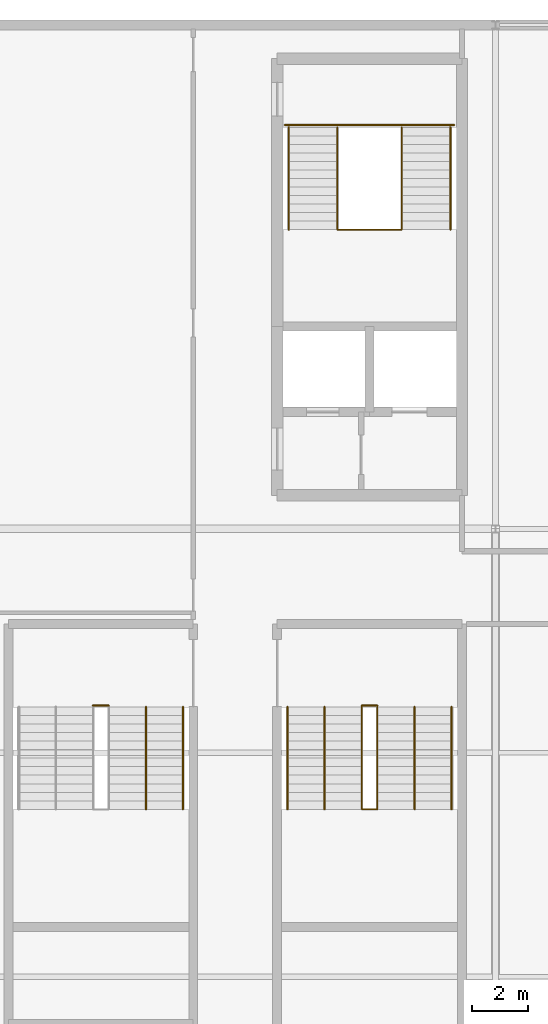
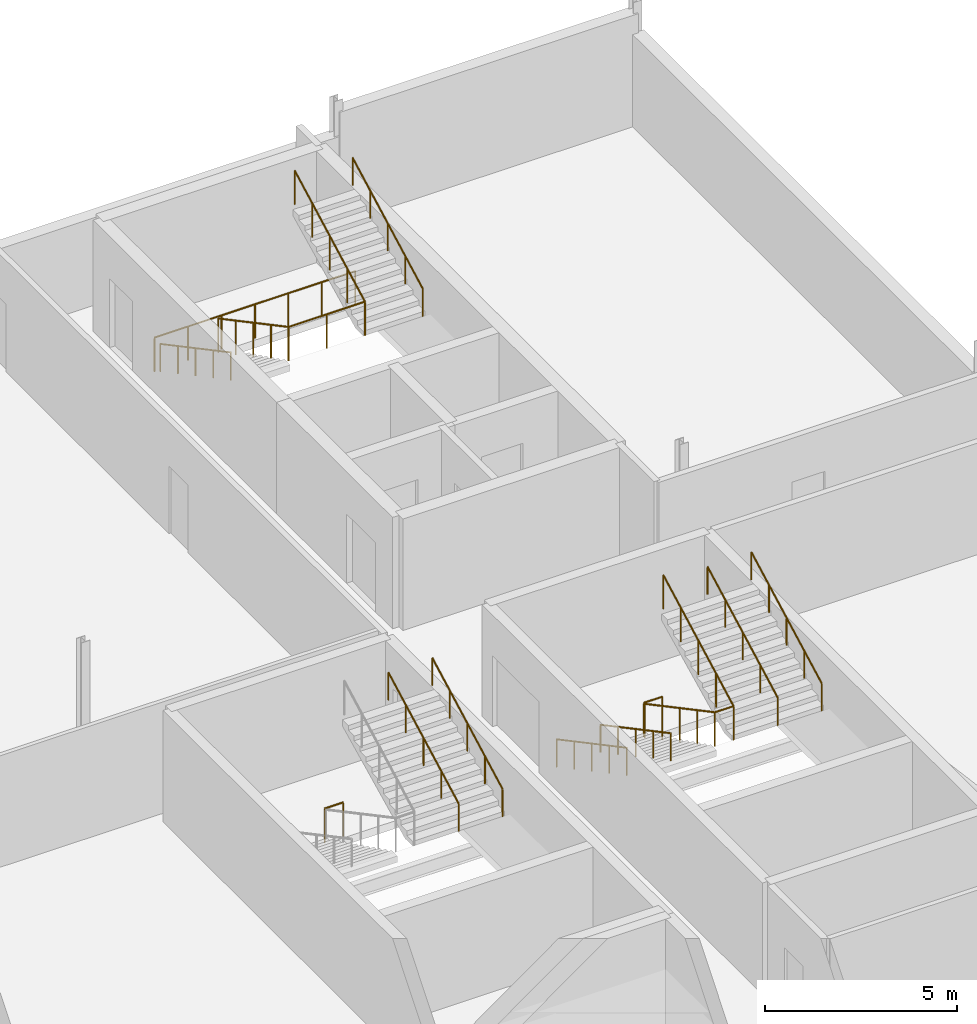
# One storey, part 29 of 30: 13 railings.
"""IFC4 building model written with IfcOpenShell, lengths in metres."""

import ifcopenshell
import ifcopenshell.guid

model = None  # the IFC model being written
_history = None  # IfcOwnerHistory: only IFC2X3 demands one
_inside = {}  # id of a spatial element -> (the spatial element, [elements in it])
_under = {}  # id of a project, library or spatial element -> (it, [spatial elements below it])
_declared = {}  # id of a project -> (the project, [libraries it declares])
_typed = {}  # id of a type object -> (the type object, [elements of that type])
_made_of = {}  # id of a material, layer set ... -> (it, [elements and type objects made of it])


def new_model(schema):
    """Start an empty IFC model of exactly this schema.

    Asked for "IFC4X3", IfcOpenShell would pick the latest addendum, in which some entities
    have other attributes; the version numbers below select the first issue.
    IFC2X3 requires an IfcOwnerHistory on every rooted entity: one is made here for all.
    """
    global model, _history
    if schema == "IFC4X3":
        model = ifcopenshell.file(schema_version=(4, 3, 0, 0))
    else:
        model = ifcopenshell.file(schema=schema)
    _inside.clear()
    _under.clear()
    _declared.clear()
    _typed.clear()
    _made_of.clear()
    _history = None
    if model.schema == "IFC2X3":
        org = make("IfcOrganization", Name="unknown")
        user = make(
            "IfcPersonAndOrganization",
            ThePerson=make("IfcPerson", FamilyName="unknown"),
            TheOrganization=org,
        )
        app = make(
            "IfcApplication",
            ApplicationDeveloper=org,
            Version="unknown",
            ApplicationFullName="unknown",
            ApplicationIdentifier="unknown",
        )
        _history = make(
            "IfcOwnerHistory",
            OwningUser=user,
            OwningApplication=app,
            ChangeAction="ADDED",
            CreationDate=0,
        )
    return model


def make(cls, **values):
    """One entity of the class cls with the attributes given. An attribute that is None is left unset."""
    return model.create_entity(
        cls, **{name: value for name, value in values.items() if value is not None}
    )


def rooted(cls, **values):
    """An entity with a GlobalId (a new one), such as an element, a storey or a relation."""
    return make(cls, GlobalId=ifcopenshell.guid.new(), OwnerHistory=_history, **values)


def si_unit(unit_type, name, prefix=None):
    """IfcSIUnit, for example si_unit("LENGTHUNIT", "METRE", prefix="MILLI")."""
    return make("IfcSIUnit", UnitType=unit_type, Prefix=prefix, Name=name)


def assignment(units):
    """IfcUnitAssignment: the units of a project."""
    return None if units is None else make("IfcUnitAssignment", Units=units)


def point(xyz):
    """IfcCartesianPoint."""
    return None if xyz is None else make("IfcCartesianPoint", Coordinates=xyz)


def direction(xyz):
    """IfcDirection."""
    return None if xyz is None else make("IfcDirection", DirectionRatios=xyz)


def frame(location, z_axis=None, x_axis=None):
    """IfcAxis2Placement3D, a coordinate frame: its origin and axes. An axis left out is left unset."""
    return make(
        "IfcAxis2Placement3D",
        Location=point(location),
        Axis=direction(z_axis),
        RefDirection=direction(x_axis),
    )


def frame_2d(location, x_axis=None):
    """IfcAxis2Placement2D, a coordinate frame in the plane: its origin and x axis."""
    return make(
        "IfcAxis2Placement2D", Location=point(location), RefDirection=direction(x_axis)
    )


def origin():
    """The frame at (0, 0, 0) with its axes left unset."""
    return frame((0.0, 0.0, 0.0))


def origin_2d():
    """The frame at (0, 0) in the plane with its x axis left unset."""
    return frame_2d((0.0, 0.0))


def place(relative_to, where):
    """IfcLocalPlacement: puts the frame where relative to a parent placement (None: the world)."""
    return make(
        "IfcLocalPlacement", PlacementRelTo=relative_to, RelativePlacement=where
    )


def context(
    kind, dimensions, precision=None, world=None, true_north=None, identifier=None
):
    """IfcGeometricRepresentationContext, for example the 3D "Model" context."""
    return make(
        "IfcGeometricRepresentationContext",
        ContextIdentifier=identifier,
        ContextType=kind,
        CoordinateSpaceDimension=dimensions,
        Precision=precision,
        WorldCoordinateSystem=world,
        TrueNorth=true_north,
    )


def subcontext(parent, identifier, kind, view, scale=None):
    """IfcGeometricRepresentationSubContext, for example "Body" below "Model"."""
    return make(
        "IfcGeometricRepresentationSubContext",
        ContextIdentifier=identifier,
        ContextType=kind,
        ParentContext=parent,
        TargetScale=scale,
        TargetView=view,
    )


def project(units=None, contexts=None):
    """IfcProject with its units and contexts."""
    return rooted(
        "IfcProject",
        Name="project",
        RepresentationContexts=contexts,
        UnitsInContext=assignment(units),
    )


def spatial(cls, under=None, at=None, **own):
    """A site, building, storey or space (cls), placed at a placement, below another one or the project."""
    s = rooted(cls, ObjectPlacement=at, **own)
    if under is not None:
        _under.setdefault(under.id(), (under, []))[1].append(s)
    return s


def profile(cls, at=None, kind="AREA", **sizes):
    """A parametric profile (cls). Its sizes go by their IFC names, for example OverallWidth=200.0."""
    return make(cls, ProfileType=kind, Position=at, **sizes)


def circle(**sizes):
    """IfcCircleProfileDef."""
    return profile("IfcCircleProfileDef", **sizes)


def extrude(swept, where, along, depth):
    """IfcExtrudedAreaSolid: the profile swept, set in the frame where, extruded along a direction by depth."""
    return make(
        "IfcExtrudedAreaSolid",
        SweptArea=swept,
        Position=where,
        ExtrudedDirection=direction(along),
        Depth=depth,
    )


def shape(context_of_items, identifier, shape_type, items):
    """IfcShapeRepresentation: the items that make up one representation, for example the "Body"."""
    return make(
        "IfcShapeRepresentation",
        ContextOfItems=context_of_items,
        RepresentationIdentifier=identifier,
        RepresentationType=shape_type,
        Items=items,
    )


def material(Name=None, Category=None):
    """IfcMaterial."""
    return make("IfcMaterial", Name=Name, Category=Category)


def made_of(thing, what):
    """Note that an element or type object is made of a material, layer set ...; save() writes the relation."""
    if what is not None:
        _made_of.setdefault(what.id(), (what, []))[1].append(thing)
    return thing


def type_object(cls, material=None, **own):
    """A type object (cls), such as IfcWallType, which elements share."""
    return made_of(rooted(cls, **own), material)


def element(
    cls,
    number,
    at=None,
    inside=None,
    cuts=None,
    type_object=None,
    material=None,
    context=None,
    identifier="Body",
    shape_type=None,
    held_by="IfcProductDefinitionShape",
    body=None,
    shapes=None,
    **own,
):
    """One element of the class cls, such as IfcWall. Its Tag is "e" and its number.

    at: its placement. inside: the storey or other place that contains it. cuts: it is an
    opening in that element (IfcRelVoidsElement). A single representation is given by context,
    identifier, shape_type and body (its items); several are given by shapes. held_by: the class
    of the entity that holds the representations. save() writes the other relations.
    """
    e = rooted(cls, Tag="e%d" % number, ObjectPlacement=at, **own)
    if body is not None:
        shapes = [shape(context, identifier, shape_type, body)]
    if shapes is not None:
        e.Representation = make(held_by, Representations=shapes)
    if inside is not None:
        _inside.setdefault(inside.id(), (inside, []))[1].append(e)
    if cuts is not None:
        rooted(
            "IfcRelVoidsElement", RelatingBuildingElement=cuts, RelatedOpeningElement=e
        )
    if type_object is not None:
        _typed.setdefault(type_object.id(), (type_object, []))[1].append(e)
    return made_of(e, material)


def aggregate(whole, parts):
    """IfcRelAggregates: a whole, such as a stair, and the parts it consists of."""
    return rooted("IfcRelAggregates", RelatingObject=whole, RelatedObjects=parts)


def save(model, path):
    """Write the relations noted so far, then the file.

    IfcRelAggregates (storeys below a building ...), IfcRelContainedInSpatialStructure (elements
    in a storey), IfcRelDefinesByType, IfcRelAssociatesMaterial and IfcRelDeclares: one each for
    every whole, place, type object, material and project.
    """
    for whole, parts in _under.values():
        aggregate(whole, parts)
    for where, things in _inside.values():
        rooted(
            "IfcRelContainedInSpatialStructure",
            RelatedElements=things,
            RelatingStructure=where,
        )
    for kind, things in _typed.values():
        rooted("IfcRelDefinesByType", RelatedObjects=things, RelatingType=kind)
    for what, things in _made_of.values():
        rooted("IfcRelAssociatesMaterial", RelatedObjects=things, RelatingMaterial=what)
    for by, libraries in _declared.values():
        rooted("IfcRelDeclares", RelatingContext=by, RelatedDefinitions=libraries)
    model.write(path)


model = new_model("IFC4")

# Units and contexts
model_context = context("Model", 3, precision=1e-05, world=origin(), true_north=direction((0.0, 1.0)))
body_context = subcontext(model_context, "Body", "Model", "MODEL_VIEW")
ifc_project = project(units=[si_unit("LENGTHUNIT", "METRE"), si_unit("AREAUNIT", "SQUARE_METRE"), si_unit("VOLUMEUNIT", "CUBIC_METRE"), si_unit("PLANEANGLEUNIT", "RADIAN"), si_unit("MASSUNIT", "GRAM", prefix="KILO")], contexts=[model_context])

# Site, building, storey
site_placement = place(None, origin())
site = spatial("IfcSite", under=ifc_project, at=site_placement, CompositionType="ELEMENT")
building_placement = place(site_placement, origin())
building = spatial("IfcBuilding", under=site, at=building_placement, Name="Kisiwana Market Hall", CompositionType="ELEMENT")
storey_placement = place(building_placement, frame((0.0, 0.0, 54.0)))
storey = spatial("IfcBuildingStorey", under=building, at=storey_placement, Name="L12", CompositionType="ELEMENT", Elevation=54.0)

# Railings
ifc_material_1 = material(Name="Steel S275", Category="steel")
railing_type_1 = type_object("IfcRailingType", Name="RL-GUARD-1100", PredefinedType="GUARDRAIL", material=ifc_material_1)
railing_1_placement = place(storey_placement, frame((183.35009765625, 98.3505859375, 0.0)))
element("IfcRailing", 1, at=railing_1_placement, inside=storey, type_object=railing_type_1, Name="Stair ST-E1-L12 inner-well guardrail (RL-1447)", PredefinedType="GUARDRAIL", context=body_context, shape_type="SweptSolid", body=[
    extrude(circle(Radius=0.02392578125, at=origin_2d()), frame((0.0, 0.0, 1.076171875), z_axis=(0.0, -0.882566327451, 0.470187917379), x_axis=(1.0, 0.0, 0.0)), (0.0, 0.0, 1.0), 4.147216796875),
    extrude(circle(Radius=0.02392578125, at=origin_2d()), frame((0.0, -3.66015625, 3.02587890625), z_axis=(1.0, 0.0, 0.0), x_axis=(0.0, 1.0, 0.0)), (0.0, 0.0, 1.0), 2.2998046875),
    extrude(circle(Radius=0.02392578125, at=origin_2d()), frame((2.2998046875, -3.66015625, 3.02587890625), z_axis=(0.0, 0.882566327451, 0.470187917379), x_axis=(-1.0, 0.0, 0.0)), (0.0, 0.0, 1.0), 4.147216796875),
    extrude(circle(Radius=0.02099609375, at=origin_2d()), origin(), (0.0, 0.0, 1.0), 1.052001953125),
    extrude(circle(Radius=0.02099609375, at=origin_2d()), frame((0.0, -0.9150390625, 0.487548828125)), (0.0, 0.0, 1.0), 1.052001953125),
    extrude(circle(Radius=0.02099609375, at=origin_2d()), frame((0.0, -1.830078125, 0.97509765625)), (0.0, 0.0, 1.0), 1.052001953125),
    extrude(circle(Radius=0.02099609375, at=origin_2d()), frame((0.0, -2.7451171875, 1.46240234375)), (0.0, 0.0, 1.0), 1.052001953125),
    extrude(circle(Radius=0.02099609375, at=origin_2d()), frame((0.0, -3.66015625, 1.949951171875)), (0.0, 0.0, 1.0), 1.052001953125),
    extrude(circle(Radius=0.02099609375, at=origin_2d()), frame((1.14990234375, -3.66015625, 1.949951171875)), (0.0, 0.0, 1.0), 1.052001953125),
    extrude(circle(Radius=0.02099609375, at=origin_2d()), frame((2.2998046875, -3.66015625, 1.949951171875)), (0.0, 0.0, 1.0), 1.052001953125),
    extrude(circle(Radius=0.02099609375, at=origin_2d()), frame((2.2998046875, -2.7451171875, 2.4375)), (0.0, 0.0, 1.0), 1.052001953125),
    extrude(circle(Radius=0.02099609375, at=origin_2d()), frame((2.2998046875, -1.830078125, 2.9248046875)), (0.0, 0.0, 1.0), 1.052001953125),
    extrude(circle(Radius=0.02099609375, at=origin_2d()), frame((2.2998046875, -0.9150390625, 3.412353515625)), (0.0, 0.0, 1.0), 1.052001953125),
    extrude(circle(Radius=0.02099609375, at=origin_2d()), frame((2.2998046875, 0.0, 3.89990234375)), (0.0, 0.0, 1.0), 1.052001953125),
])
railing_2_placement = place(storey_placement, frame((181.47998046875, 98.430419921875, 0.0)))
element("IfcRailing", 2, at=railing_2_placement, inside=storey, type_object=railing_type_1, Name="Stair ST-E1-L12 landing edge guardrail (RL-1450)", PredefinedType="GUARDRAIL", context=body_context, shape_type="SweptSolid", body=[
    extrude(circle(Radius=0.02392578125, at=origin_2d()), frame((0.0, 0.0, 1.076171875), z_axis=(1.0, 0.0, 0.0), x_axis=(0.0, 1.0, 0.0)), (0.0, 0.0, 1.0), 6.0400390625),
    extrude(circle(Radius=0.02099609375, at=origin_2d()), origin(), (0.0, 0.0, 1.0), 1.052001953125),
    extrude(circle(Radius=0.02099609375, at=origin_2d()), frame((1.006591796875, 0.0, 0.0)), (0.0, 0.0, 1.0), 1.052001953125),
    extrude(circle(Radius=0.02099609375, at=origin_2d()), frame((2.013427734375, 0.0, 0.0)), (0.0, 0.0, 1.0), 1.052001953125),
    extrude(circle(Radius=0.02099609375, at=origin_2d()), frame((3.02001953125, 0.0, 0.0)), (0.0, 0.0, 1.0), 1.052001953125),
    extrude(circle(Radius=0.02099609375, at=origin_2d()), frame((4.026611328125, 0.0, 0.0)), (0.0, 0.0, 1.0), 1.052001953125),
    extrude(circle(Radius=0.02099609375, at=origin_2d()), frame((5.033447265625, 0.0, 0.0)), (0.0, 0.0, 1.0), 1.052001953125),
    extrude(circle(Radius=0.02099609375, at=origin_2d()), frame((6.0400390625, 0.0, 0.0)), (0.0, 0.0, 1.0), 1.052001953125),
])
railing_3_placement = place(storey_placement, frame((184.219970703125, 77.639892578125, 0.0)))
element("IfcRailing", 3, at=railing_3_placement, inside=storey, type_object=railing_type_1, Name="Stair ST-E4-L12 inner-well guardrail (RL-1469)", PredefinedType="GUARDRAIL", context=body_context, shape_type="SweptSolid", body=[
    extrude(circle(Radius=0.02392578125, at=origin_2d()), frame((0.0, 0.0, 1.076171875), z_axis=(0.0, -0.88255331184, 0.47021234752), x_axis=(1.0, 0.0, 0.0)), (0.0, 0.0, 1.0), 4.14697265625),
    extrude(circle(Radius=0.02392578125, at=origin_2d()), frame((0.0, -3.659912109375, 3.02587890625), z_axis=(1.0, 0.0, 0.0), x_axis=(0.0, 1.0, 0.0)), (0.0, 0.0, 1.0), 0.56005859375),
    extrude(circle(Radius=0.02392578125, at=origin_2d()), frame((0.56005859375, -3.659912109375, 3.02587890625), z_axis=(0.0, 0.88255331184, 0.47021234752), x_axis=(-1.0, 0.0, 0.0)), (0.0, 0.0, 1.0), 4.14697265625),
    extrude(circle(Radius=0.02099609375, at=origin_2d()), origin(), (0.0, 0.0, 1.0), 1.052001953125),
    extrude(circle(Radius=0.02099609375, at=origin_2d()), frame((0.0, -0.9150390625, 0.487548828125)), (0.0, 0.0, 1.0), 1.052001953125),
    extrude(circle(Radius=0.02099609375, at=origin_2d()), frame((0.0, -1.830078125, 0.97509765625)), (0.0, 0.0, 1.0), 1.052001953125),
    extrude(circle(Radius=0.02099609375, at=origin_2d()), frame((0.0, -2.744873046875, 1.46240234375)), (0.0, 0.0, 1.0), 1.052001953125),
    extrude(circle(Radius=0.02099609375, at=origin_2d()), frame((0.0, -3.659912109375, 1.949951171875)), (0.0, 0.0, 1.0), 1.052001953125),
    extrude(circle(Radius=0.02099609375, at=origin_2d()), frame((0.56005859375, -3.659912109375, 1.949951171875)), (0.0, 0.0, 1.0), 1.052001953125),
    extrude(circle(Radius=0.02099609375, at=origin_2d()), frame((0.56005859375, -2.744873046875, 2.4375)), (0.0, 0.0, 1.0), 1.052001953125),
    extrude(circle(Radius=0.02099609375, at=origin_2d()), frame((0.56005859375, -1.830078125, 2.9248046875)), (0.0, 0.0, 1.0), 1.052001953125),
    extrude(circle(Radius=0.02099609375, at=origin_2d()), frame((0.56005859375, -0.9150390625, 3.412353515625)), (0.0, 0.0, 1.0), 1.052001953125),
    extrude(circle(Radius=0.02099609375, at=origin_2d()), frame((0.56005859375, 0.0, 3.89990234375)), (0.0, 0.0, 1.0), 1.052001953125),
])
railing_4_placement = place(storey_placement, frame((184.219970703125, 77.68994140625, 0.0)))
element("IfcRailing", 4, at=railing_4_placement, inside=storey, type_object=railing_type_1, Name="Stair ST-E4-L12 landing edge guardrail (RL-1474)", PredefinedType="GUARDRAIL", context=body_context, shape_type="SweptSolid", body=[
    extrude(circle(Radius=0.02392578125, at=origin_2d()), frame((0.0, 0.0, 1.076171875), z_axis=(1.0, 0.0, 0.0), x_axis=(0.0, 1.0, 0.0)), (0.0, 0.0, 1.0), 0.56005859375),
    extrude(circle(Radius=0.02099609375, at=origin_2d()), origin(), (0.0, 0.0, 1.0), 1.052001953125),
    extrude(circle(Radius=0.02099609375, at=origin_2d()), frame((0.56005859375, 0.0, 0.0)), (0.0, 0.0, 1.0), 1.052001953125),
])
railing_5_placement = place(storey_placement, frame((174.6201171875, 77.68994140625, 0.0)))
element("IfcRailing", 5, at=railing_5_placement, inside=storey, type_object=railing_type_1, Name="Stair ST-E8-L12 landing edge guardrail (RL-1498)", PredefinedType="GUARDRAIL", context=body_context, shape_type="SweptSolid", body=[
    extrude(circle(Radius=0.02392578125, at=origin_2d()), frame((0.0, 0.0, 1.076171875), z_axis=(1.0, 0.0, 0.0), x_axis=(0.0, 1.0, 0.0)), (0.0, 0.0, 1.0), 0.559814453125),
    extrude(circle(Radius=0.02099609375, at=origin_2d()), origin(), (0.0, 0.0, 1.0), 1.052001953125),
    extrude(circle(Radius=0.02099609375, at=origin_2d()), frame((0.559814453125, 0.0, 0.0)), (0.0, 0.0, 1.0), 1.052001953125),
])
ifc_material_2 = material(Name="Steel S275", Category="steel")
railing_type_2 = type_object("IfcRailingType", Name="RL-HAND-900", PredefinedType="HANDRAIL", material=ifc_material_2)
railing_6_placement = place(storey_placement, frame((181.610107421875, 98.3505859375, 0.0)))
element("IfcRailing", 6, at=railing_6_placement, inside=storey, type_object=railing_type_2, Name="Stair ST-E1-L12 flight 1 handrail (RL-1448)", PredefinedType="HANDRAIL", context=body_context, shape_type="SweptSolid", body=[
    extrude(circle(Radius=0.02392578125, at=origin_2d()), frame((0.0, 0.0, 0.8759765625), z_axis=(0.0, -0.882566327451, 0.470187917379), x_axis=(1.0, 0.0, 0.0)), (0.0, 0.0, 1.0), 4.147216796875),
    extrude(circle(Radius=0.02099609375, at=origin_2d()), origin(), (0.0, 0.0, 1.0), 0.851806640625),
    extrude(circle(Radius=0.02099609375, at=origin_2d()), frame((0.0, -0.9150390625, 0.487548828125)), (0.0, 0.0, 1.0), 0.851806640625),
    extrude(circle(Radius=0.02099609375, at=origin_2d()), frame((0.0, -1.830078125, 0.97509765625)), (0.0, 0.0, 1.0), 0.851806640625),
    extrude(circle(Radius=0.02099609375, at=origin_2d()), frame((0.0, -2.7451171875, 1.46240234375)), (0.0, 0.0, 1.0), 0.851806640625),
    extrude(circle(Radius=0.02099609375, at=origin_2d()), frame((0.0, -3.66015625, 1.949951171875)), (0.0, 0.0, 1.0), 0.851806640625),
])
railing_7_placement = place(storey_placement, frame((187.389892578125, 94.6904296875, 1.949951171875)))
element("IfcRailing", 7, at=railing_7_placement, inside=storey, type_object=railing_type_2, Name="Stair ST-E1-L12 flight 2 handrail (RL-1449)", PredefinedType="HANDRAIL", context=body_context, shape_type="SweptSolid", body=[
    extrude(circle(Radius=0.02392578125, at=origin_2d()), frame((0.0, 0.0, 0.8759765625), z_axis=(0.0, 0.882566327451, 0.470187917379), x_axis=(-1.0, 0.0, 0.0)), (0.0, 0.0, 1.0), 4.147216796875),
    extrude(circle(Radius=0.02099609375, at=origin_2d()), origin(), (0.0, 0.0, 1.0), 0.851806640625),
    extrude(circle(Radius=0.02099609375, at=origin_2d()), frame((0.0, 0.9150390625, 0.487548828125)), (0.0, 0.0, 1.0), 0.851806640625),
    extrude(circle(Radius=0.02099609375, at=origin_2d()), frame((0.0, 1.830078125, 0.97509765625)), (0.0, 0.0, 1.0), 0.851806640625),
    extrude(circle(Radius=0.02099609375, at=origin_2d()), frame((0.0, 2.7451171875, 1.46240234375)), (0.0, 0.0, 1.0), 0.851806640625),
    extrude(circle(Radius=0.02099609375, at=origin_2d()), frame((0.0, 3.66015625, 1.949951171875)), (0.0, 0.0, 1.0), 0.851806640625),
])
railing_8_placement = place(storey_placement, frame((181.570068359375, 77.639892578125, 0.0)))
element("IfcRailing", 8, at=railing_8_placement, inside=storey, type_object=railing_type_2, Name="Stair ST-E4-L12 flight 1 handrail (RL-1470)", PredefinedType="HANDRAIL", context=body_context, shape_type="SweptSolid", body=[
    extrude(circle(Radius=0.02392578125, at=origin_2d()), frame((0.0, 0.0, 0.8759765625), z_axis=(0.0, -0.88255331184, 0.47021234752), x_axis=(1.0, 0.0, 0.0)), (0.0, 0.0, 1.0), 4.14697265625),
    extrude(circle(Radius=0.02099609375, at=origin_2d()), origin(), (0.0, 0.0, 1.0), 0.851806640625),
    extrude(circle(Radius=0.02099609375, at=origin_2d()), frame((0.0, -0.9150390625, 0.487548828125)), (0.0, 0.0, 1.0), 0.851806640625),
    extrude(circle(Radius=0.02099609375, at=origin_2d()), frame((0.0, -1.830078125, 0.97509765625)), (0.0, 0.0, 1.0), 0.851806640625),
    extrude(circle(Radius=0.02099609375, at=origin_2d()), frame((0.0, -2.744873046875, 1.46240234375)), (0.0, 0.0, 1.0), 0.851806640625),
    extrude(circle(Radius=0.02099609375, at=origin_2d()), frame((0.0, -3.659912109375, 1.949951171875)), (0.0, 0.0, 1.0), 0.851806640625),
])
railing_9_placement = place(storey_placement, frame((187.429931640625, 73.97998046875, 1.949951171875)))
element("IfcRailing", 9, at=railing_9_placement, inside=storey, type_object=railing_type_2, Name="Stair ST-E4-L12 flight 2 handrail (RL-1471)", PredefinedType="HANDRAIL", context=body_context, shape_type="SweptSolid", body=[
    extrude(circle(Radius=0.02392578125, at=origin_2d()), frame((0.0, 0.0, 0.8759765625), z_axis=(0.0, 0.88255331184, 0.47021234752), x_axis=(-1.0, 0.0, 0.0)), (0.0, 0.0, 1.0), 4.14697265625),
    extrude(circle(Radius=0.02099609375, at=origin_2d()), origin(), (0.0, 0.0, 1.0), 0.851806640625),
    extrude(circle(Radius=0.02099609375, at=origin_2d()), frame((0.0, 0.9150390625, 0.487548828125)), (0.0, 0.0, 1.0), 0.851806640625),
    extrude(circle(Radius=0.02099609375, at=origin_2d()), frame((0.0, 1.830078125, 0.97509765625)), (0.0, 0.0, 1.0), 0.851806640625),
    extrude(circle(Radius=0.02099609375, at=origin_2d()), frame((0.0, 2.744873046875, 1.46240234375)), (0.0, 0.0, 1.0), 0.851806640625),
    extrude(circle(Radius=0.02099609375, at=origin_2d()), frame((0.0, 3.659912109375, 1.949951171875)), (0.0, 0.0, 1.0), 0.851806640625),
])
railing_10_placement = place(storey_placement, frame((182.889892578125, 77.639892578125, 0.0)))
element("IfcRailing", 10, at=railing_10_placement, inside=storey, type_object=railing_type_2, Name="Stair ST-E4-L12 flight 1 intermediate handrail (RL-1472)", PredefinedType="HANDRAIL", context=body_context, shape_type="SweptSolid", body=[
    extrude(circle(Radius=0.02392578125, at=origin_2d()), frame((0.0, 0.0, 0.8759765625), z_axis=(0.0, -0.88255331184, 0.47021234752), x_axis=(1.0, 0.0, 0.0)), (0.0, 0.0, 1.0), 4.14697265625),
    extrude(circle(Radius=0.02099609375, at=origin_2d()), origin(), (0.0, 0.0, 1.0), 0.851806640625),
    extrude(circle(Radius=0.02099609375, at=origin_2d()), frame((0.0, -0.9150390625, 0.487548828125)), (0.0, 0.0, 1.0), 0.851806640625),
    extrude(circle(Radius=0.02099609375, at=origin_2d()), frame((0.0, -1.830078125, 0.97509765625)), (0.0, 0.0, 1.0), 0.851806640625),
    extrude(circle(Radius=0.02099609375, at=origin_2d()), frame((0.0, -2.744873046875, 1.46240234375)), (0.0, 0.0, 1.0), 0.851806640625),
    extrude(circle(Radius=0.02099609375, at=origin_2d()), frame((0.0, -3.659912109375, 1.949951171875)), (0.0, 0.0, 1.0), 0.851806640625),
])
for number, where, name in (
    (11, (186.110107421875, 73.97998046875, 1.949951171875), "Stair ST-E4-L12 flight 2 intermediate handrail (RL-1473)"),
    (12, (177.830078125, 73.97998046875, 1.949951171875), "Stair ST-E8-L12 flight 2 handrail (RL-1495)"),
    (13, (176.510009765625, 73.97998046875, 1.949951171875), "Stair ST-E8-L12 flight 2 intermediate handrail (RL-1497)"),
):
    element("IfcRailing", number, at=place(storey_placement, frame(where)), inside=storey, type_object=railing_type_2, Name=name, PredefinedType="HANDRAIL", context=body_context, shape_type="SweptSolid", body=[
        extrude(circle(Radius=0.02392578125, at=origin_2d()), frame((0.0, 0.0, 0.8759765625), z_axis=(0.0, 0.88255331184, 0.47021234752), x_axis=(-1.0, 0.0, 0.0)), (0.0, 0.0, 1.0), 4.14697265625),
        extrude(circle(Radius=0.02099609375, at=origin_2d()), origin(), (0.0, 0.0, 1.0), 0.851806640625),
        extrude(circle(Radius=0.02099609375, at=origin_2d()), frame((0.0, 0.9150390625, 0.487548828125)), (0.0, 0.0, 1.0), 0.851806640625),
        extrude(circle(Radius=0.02099609375, at=origin_2d()), frame((0.0, 1.830078125, 0.97509765625)), (0.0, 0.0, 1.0), 0.851806640625),
        extrude(circle(Radius=0.02099609375, at=origin_2d()), frame((0.0, 2.744873046875, 1.46240234375)), (0.0, 0.0, 1.0), 0.851806640625),
        extrude(circle(Radius=0.02099609375, at=origin_2d()), frame((0.0, 3.659912109375, 1.949951171875)), (0.0, 0.0, 1.0), 0.851806640625),
    ])

save(model, "model.ifc")
